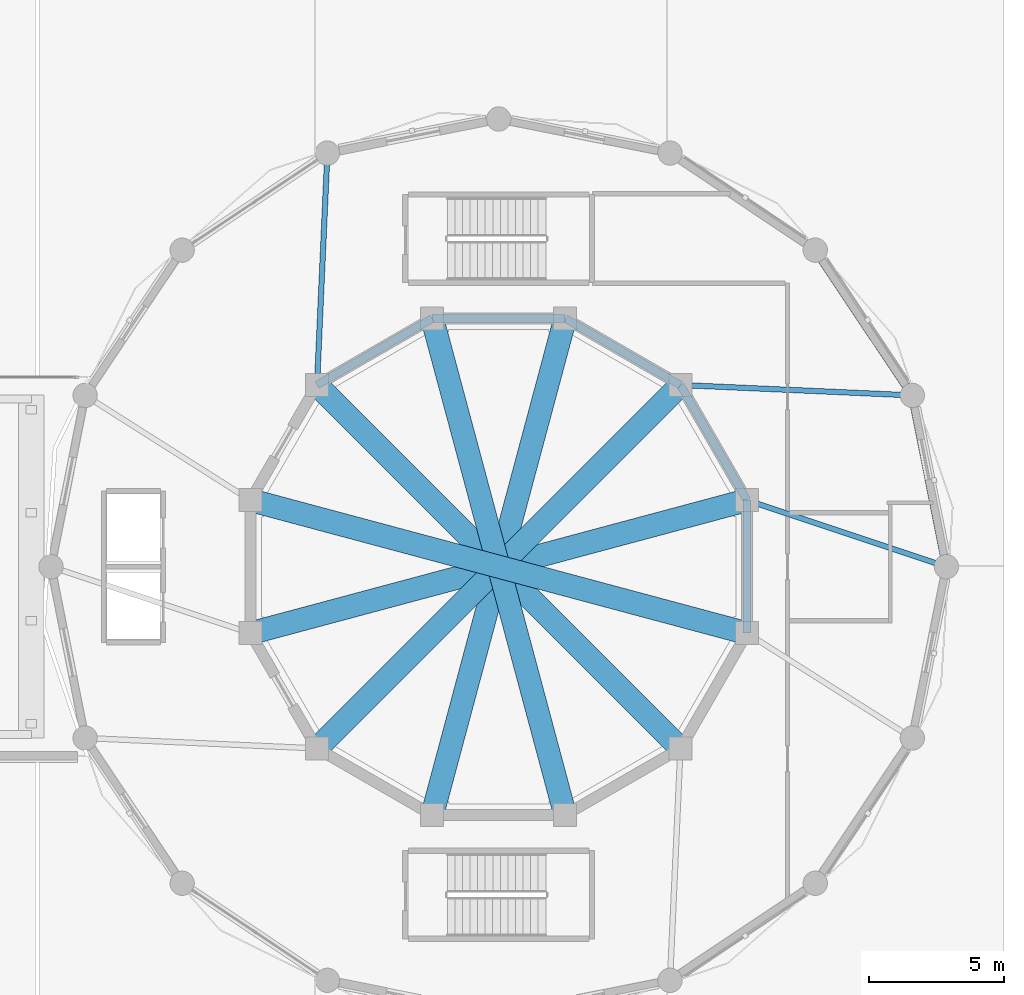
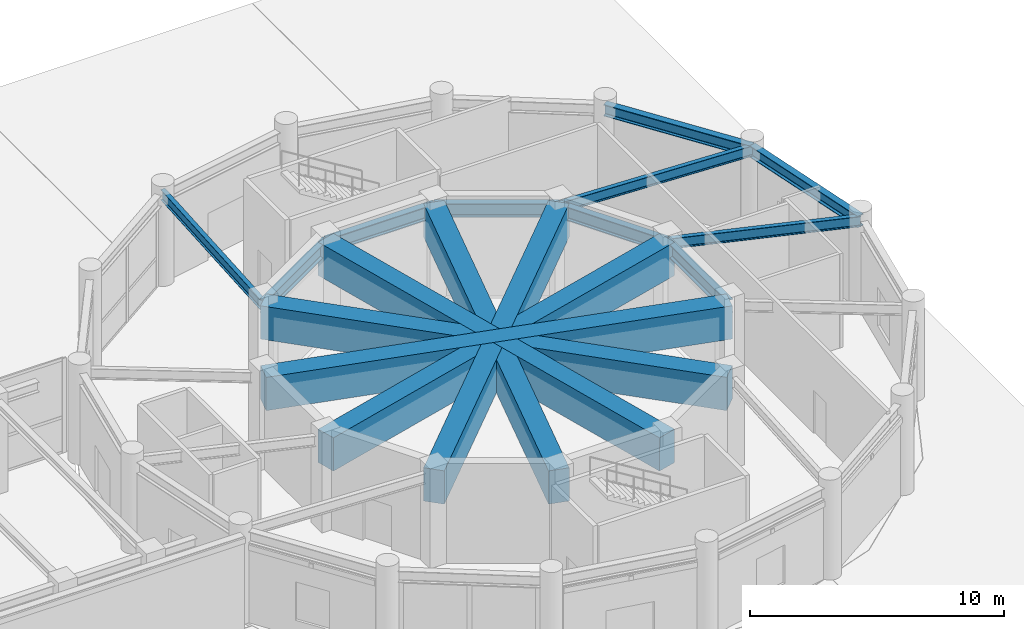
# One storey, part 19 of 40: 16 beams.
"""IFC4 building model written with IfcOpenShell, lengths in metres."""

from ifc_helpers import new_model, si_unit, derived_unit, direction, frame, origin, origin_2d, place, context, subcontext, project, spatial, rectangle, i_section, extrude, source, transform, mapped, material, material_profile, profile_set, type_object, element, save


model = new_model("IFC4")

# Units and contexts
model_context = context("Model", 3, precision=1e-05, world=origin(), true_north=direction((0.0, 1.0)))
body_context = subcontext(model_context, "Body", "Model", "MODEL_VIEW")
ifc_project = project(units=[si_unit("LENGTHUNIT", "METRE"), si_unit("AREAUNIT", "SQUARE_METRE"), si_unit("VOLUMEUNIT", "CUBIC_METRE"), si_unit("PLANEANGLEUNIT", "RADIAN"), si_unit("MASSUNIT", "GRAM", prefix="KILO"), derived_unit("THERMALTRANSMITTANCEUNIT", [(si_unit("POWERUNIT", "WATT"), 1), (si_unit("LENGTHUNIT", "METRE"), -2), (si_unit("THERMODYNAMICTEMPERATUREUNIT", "KELVIN"), -1)])], contexts=[model_context])

# Site, building, storey
site_placement = place(None, origin())
site = spatial("IfcSite", under=ifc_project, at=site_placement, CompositionType="ELEMENT")
building_placement = place(site_placement, origin())
building = spatial("IfcBuilding", under=site, at=building_placement, Name="Korsvarv Bourse and Concert Hall", CompositionType="ELEMENT")
storey_placement = place(building_placement, origin())
storey = spatial("IfcBuildingStorey", under=building, at=storey_placement, Name="L00", CompositionType="ELEMENT", Elevation=0.0)

# Beams
ifc_material_1 = material(Name="Steel S355", Category="steel")
ifc_material_profile_1 = material_profile(ifc_material_1, i_section(OverallWidth=0.300048828125, OverallDepth=0.550048828125, WebThickness=0.014892578125, FlangeThickness=0.029052734375, FilletRadius=0.02392578125, at=origin_2d()), Name="HEB 550")
ifc_profile_set_1 = profile_set([ifc_material_profile_1], Name="Steel S355")
beam_type_1 = type_object("IfcBeamType", Name="BM-HEB550", PredefinedType="BEAM", material=ifc_profile_set_1)
shared_shape_1 = source(origin(), body_context, "Body", "SweptSolid", [
    extrude(i_section(OverallWidth=0.300048828125, OverallDepth=0.550048828125, WebThickness=0.014892578125, FlangeThickness=0.029052734375, FilletRadius=0.02392578125, at=origin_2d()), origin(), (0.0, 0.0, 1.0), 6.45751953125),
])
beam_1_placement = place(storey_placement, frame((123.35009765625, 36.0, 4.10498046875), z_axis=(-0.195119974887, 0.980779381615, 0.0), x_axis=(-0.980779381615, -0.195119974887, 0.0)))
element("IfcBeam", 1, at=beam_1_placement, inside=storey, type_object=beam_type_1, Name="L00 beam B-06", PredefinedType="BEAM", context=body_context, shape_type="MappedRepresentation", body=[
    mapped(shared_shape_1, transform((0.0, 0.0, 0.0), scale=1.0)),
])
shared_shape_2 = source(origin(), body_context, "Body", "SweptSolid", [
    extrude(i_section(OverallWidth=0.300048828125, OverallDepth=0.550048828125, WebThickness=0.014892578125, FlangeThickness=0.029052734375, FilletRadius=0.02392578125, at=origin_2d()), origin(), (0.0, 0.0, 1.0), 6.457275390625),
])
beam_2_placement = place(storey_placement, frame((122.090087890625, 42.33349609375, 4.10498046875), z_axis=(-0.555554952257, 0.831479822379, 0.0), x_axis=(-0.831479822379, -0.555554952257, 0.0)))
element("IfcBeam", 2, at=beam_2_placement, inside=storey, type_object=beam_type_1, Name="L00 beam B-06", PredefinedType="BEAM", context=body_context, shape_type="MappedRepresentation", body=[
    mapped(shared_shape_2, transform((0.0, 0.0, 0.0), scale=1.0)),
])
ifc_material_profile_2 = material_profile(ifc_material_1, i_section(OverallWidth=0.300048828125, OverallDepth=0.64990234375, WebThickness=0.01611328125, FlangeThickness=0.031005859375, FilletRadius=0.027099609375, at=origin_2d()), Name="HEB 650")
ifc_profile_set_2 = profile_set([ifc_material_profile_2], Name="Steel S355")
beam_type_2 = type_object("IfcBeamType", Name="BM-HEB650", PredefinedType="BEAM", material=ifc_profile_set_2)
shared_shape_3 = source(origin(), body_context, "Body", "SweptSolid", [
    extrude(i_section(OverallWidth=0.300048828125, OverallDepth=0.64990234375, WebThickness=0.01611328125, FlangeThickness=0.031005859375, FilletRadius=0.027099609375, at=origin_2d()), origin(), (0.0, 0.0, 1.0), 4.91748046875),
])
for number, where, z_axis, x_axis, name in (
    (3, (115.976318359375, 38.458740234375, 4.054931640625), (-0.499988900423, 0.866031812033, 0.0), (-0.866031812033, -0.499988900423, 0.0), "L00 beam B-04"),
    (4, (113.517578125, 42.717529296875, 4.054931640625), (-0.866031812033, 0.499988900423, 0.0), (-0.499988900423, -0.866031812033, 0.0), "L00 beam B-04"),
    (5, (109.2587890625, 45.17626953125, 4.054931640625), (-1.0, 0.0, 0.0), (0.0, -1.0, 0.0), "L00 beam B-04"),
    (6, (104.34130859375, 45.17626953125, 4.054931640625), (-0.866031812033, -0.499988900423, 0.0), (0.499988900423, -0.866031812033, 0.0), "L00 beam B-04"),
    (7, (115.976318359375, 33.541259765625, 4.054931640625), (0.0, 1.0, 0.0), (-1.0, 0.0, 0.0), "L00 beam B-04"),
):
    element("IfcBeam", number, at=place(storey_placement, frame(where, z_axis=z_axis, x_axis=x_axis)), inside=storey, type_object=beam_type_2, Name=name, PredefinedType="BEAM", context=body_context, shape_type="MappedRepresentation", body=[
        mapped(shared_shape_3, transform((0.0, 0.0, 0.0), scale=1.0)),
    ])
ifc_material_profile_3 = material_profile(ifc_material_1, i_section(OverallWidth=0.199951171875, OverallDepth=0.5, WebThickness=0.01025390625, FlangeThickness=0.01611328125, FilletRadius=0.02099609375, at=origin_2d()), Name="IPE 500")
ifc_profile_set_3 = profile_set([ifc_material_profile_3], Name="Steel S355")
beam_type_3 = type_object("IfcBeamType", Name="BM-IPE500", PredefinedType="JOIST", material=ifc_profile_set_3)
shared_shape_4 = source(origin(), body_context, "Body", "SweptSolid", [
    extrude(i_section(OverallWidth=0.199951171875, OverallDepth=0.5, WebThickness=0.01025390625, FlangeThickness=0.01611328125, FilletRadius=0.02099609375, at=origin_2d()), origin(), (0.0, 0.0, 1.0), 7.77294921875),
])
beam_3_placement = place(storey_placement, frame((115.976318359375, 38.458740234375, 4.1298828125), z_axis=(0.948651884177, -0.316321992039, 0.0), x_axis=(0.316321992039, 0.948651884177, 0.0)))
element("IfcBeam", 8, at=beam_3_placement, inside=storey, type_object=beam_type_3, Name="L00 beam J-03", PredefinedType="JOIST", context=body_context, shape_type="MappedRepresentation", body=[
    mapped(shared_shape_4, transform((0.0, 0.0, 0.0), scale=1.0)),
])
shared_shape_5 = source(origin(), body_context, "Body", "SweptSolid", [
    extrude(i_section(OverallWidth=0.199951171875, OverallDepth=0.5, WebThickness=0.01025390625, FlangeThickness=0.01611328125, FilletRadius=0.02099609375, at=origin_2d()), origin(), (0.0, 0.0, 1.0), 8.5810546875),
])
beam_4_placement = place(storey_placement, frame((113.517578125, 42.717529296875, 4.1298828125), z_axis=(0.998998067431, -0.044753338082, 0.0), x_axis=(0.044753338082, 0.998998067431, 0.0)))
element("IfcBeam", 9, at=beam_4_placement, inside=storey, type_object=beam_type_3, Name="L00 beam J-03", PredefinedType="JOIST", context=body_context, shape_type="MappedRepresentation", body=[
    mapped(shared_shape_5, transform((0.0, 0.0, 0.0), scale=1.0)),
])
shared_shape_6 = source(origin(), body_context, "Body", "SweptSolid", [
    extrude(i_section(OverallWidth=0.199951171875, OverallDepth=0.5, WebThickness=0.01025390625, FlangeThickness=0.01611328125, FilletRadius=0.02099609375, at=origin_2d()), origin(), (0.0, 0.0, 1.0), 8.581298828125),
])
beam_5_placement = place(storey_placement, frame((100.08251953125, 42.717529296875, 4.1298828125), z_axis=(0.044752066119, 0.998998124412, 0.0), x_axis=(-0.998998124412, 0.044752066119, 0.0)))
element("IfcBeam", 10, at=beam_5_placement, inside=storey, type_object=beam_type_3, Name="L00 beam J-03", PredefinedType="JOIST", context=body_context, shape_type="MappedRepresentation", body=[
    mapped(shared_shape_6, transform((0.0, 0.0, 0.0), scale=1.0)),
])
ifc_material_2 = material(Name="Concrete C55/67", Category="concrete")
ifc_material_profile_4 = material_profile(ifc_material_2, rectangle(XDim=0.85009765625, YDim=1.60009765625, at=origin_2d()), Name="RC-BM 850x1600")
ifc_profile_set_4 = profile_set([ifc_material_profile_4], Name="Concrete C55/67")
beam_type_4 = type_object("IfcBeamType", Name="BM-TR1B", PredefinedType="BEAM", material=ifc_profile_set_4)
shared_shape_7 = source(origin(), body_context, "Body", "SweptSolid", [
    extrude(rectangle(XDim=0.85009765625, YDim=1.60009765625, at=origin_2d()), origin(), (0.0, 0.0, 1.0), 19.0),
])
for number, where, z_axis, x_axis, name in (
    (11, (115.976318359375, 38.458740234375, 3.580078125), (-0.96592671513, -0.258815727879, 0.0), (0.258815727879, -0.96592671513, 0.0), "L00 beam B-TR2"),
    (12, (113.517578125, 42.717529296875, 3.580078125), (-0.707106781187, -0.707106781187, 0.0), (0.707106781187, -0.707106781187, 0.0), "L00 beam B-TR2"),
    (13, (109.2587890625, 45.17626953125, 3.580078125), (-0.258815727879, -0.96592671513, 0.0), (0.96592671513, -0.258815727879, 0.0), "L00 beam B-TR2"),
    (14, (104.34130859375, 45.17626953125, 3.580078125), (0.258815727879, -0.96592671513, 0.0), (0.96592671513, 0.258815727879, 0.0), "L00 beam B-TR2"),
    (15, (100.08251953125, 42.717529296875, 3.580078125), (0.707106781187, -0.707106781187, 0.0), (0.707106781187, 0.707106781187, 0.0), "L00 beam B-TR2"),
    (16, (97.623779296875, 38.458740234375, 3.580078125), (0.96592671513, -0.258815727879, 0.0), (0.258815727879, 0.96592671513, 0.0), "L00 beam B-TR2"),
):
    element("IfcBeam", number, at=place(storey_placement, frame(where, z_axis=z_axis, x_axis=x_axis)), inside=storey, type_object=beam_type_4, Name=name, PredefinedType="BEAM", context=body_context, shape_type="MappedRepresentation", body=[
        mapped(shared_shape_7, transform((0.0, 0.0, 0.0), scale=1.0)),
    ])

save(model, "model.ifc")
